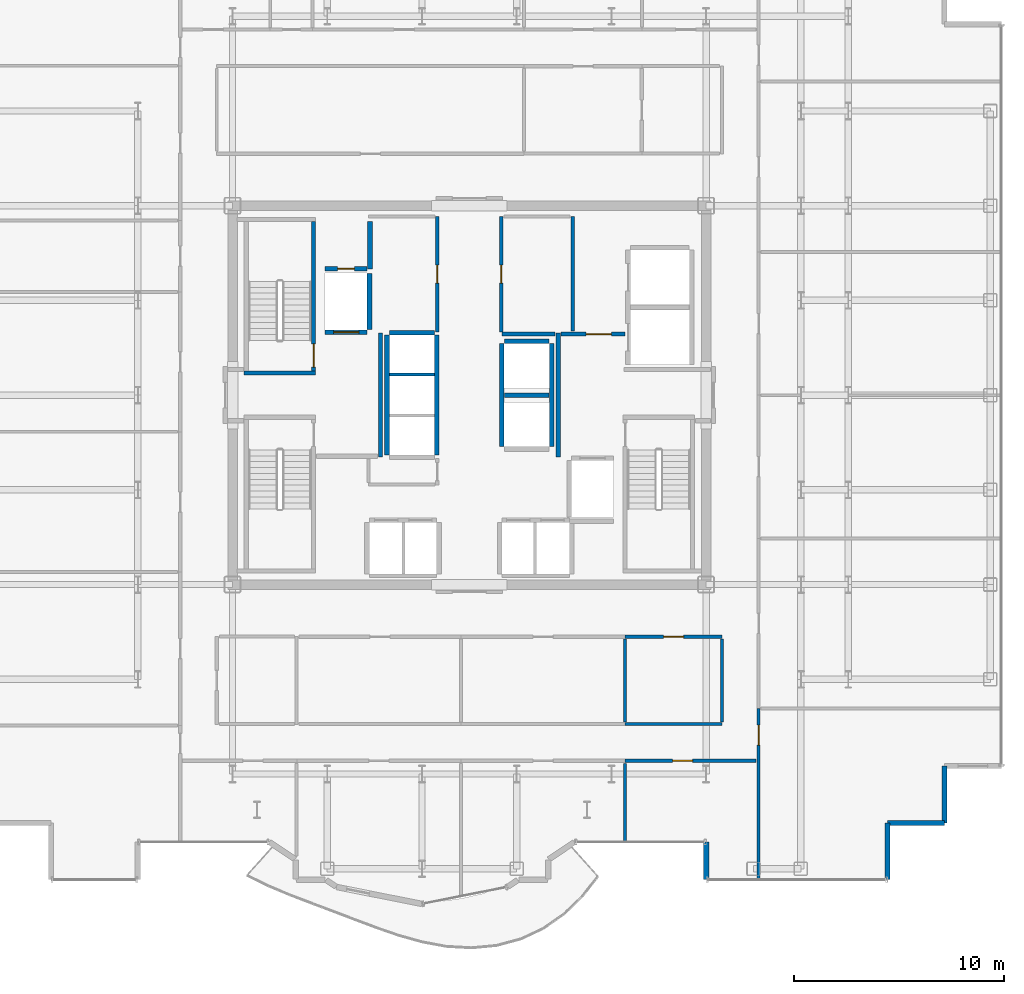
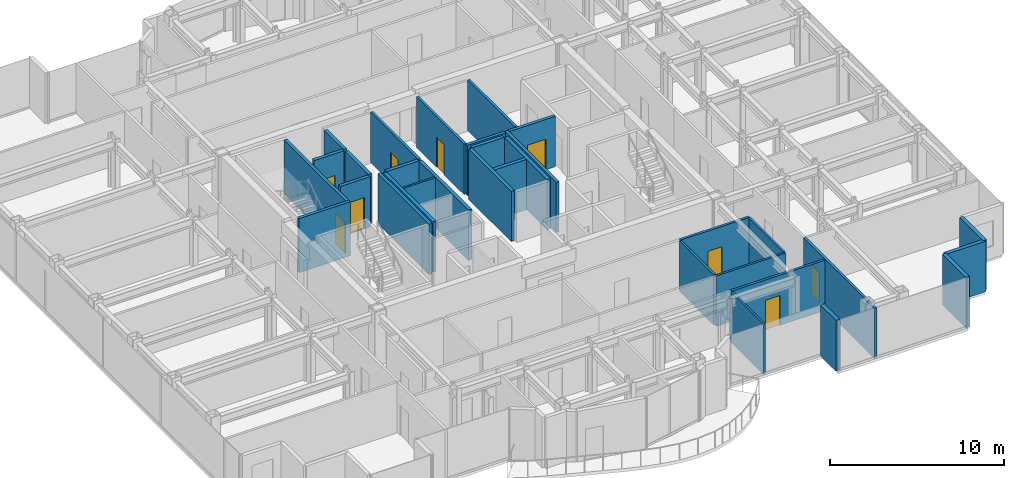
# One storey, part 16 of 21: 32 walls, 9 doors, 9 openings.
"""IFC4 building model written with IfcOpenShell, lengths in metres."""

from ifc_helpers import new_model, si_unit, direction, frame, frame_2d, origin, place, context, subcontext, project, spatial, rectangle, extrude, source, transform, mapped, material, layer, layer_set, type_object, element, fill, save


model = new_model("IFC4")

# Units and contexts
model_context = context("Model", 3, precision=1e-05, world=origin(), true_north=direction((0.0, 1.0)))
body_context = subcontext(model_context, "Body", "Model", "MODEL_VIEW")
ifc_project = project(units=[si_unit("LENGTHUNIT", "METRE"), si_unit("AREAUNIT", "SQUARE_METRE"), si_unit("VOLUMEUNIT", "CUBIC_METRE"), si_unit("PLANEANGLEUNIT", "RADIAN"), si_unit("MASSUNIT", "GRAM", prefix="KILO")], contexts=[model_context])

# Site, building, storey
site_placement = place(None, origin())
site = spatial("IfcSite", under=ifc_project, at=site_placement, CompositionType="ELEMENT")
building_placement = place(site_placement, origin())
building = spatial("IfcBuilding", under=site, at=building_placement, Name="Nefas-Gora Pilgrimage Tower", CompositionType="ELEMENT")
storey_placement = place(building_placement, frame((0.0, 0.0, 210.39990234375)))
storey = spatial("IfcBuildingStorey", under=building, at=storey_placement, Name="L52", CompositionType="ELEMENT", Elevation=210.39990234375)

# Walls
ifc_material_1 = material(Name="Precast concrete C40/50", Category="concrete")
ifc_layer_1 = layer(ifc_material_1, 0.260009765625)
ifc_layer_set_1 = layer_set([ifc_layer_1], Name="Precast concrete C40/50")
wall_type_1 = type_object("IfcWallType", Name="EW-PORTAL-260", PredefinedType="SOLIDWALL", material=ifc_layer_set_1)
shared_shape_1 = source(origin(), body_context, "Body", "SweptSolid", [
    extrude(rectangle(XDim=1.800048828125, YDim=0.260009765625, at=frame_2d((0.89990234375, 0.0))), origin(), (0.0, 0.0, 1.0), 3.550048828125),
])
wall_1_placement = place(storey_placement, frame((11.25, -21.219970703125, 0.0), z_axis=(0.0, 0.0, 1.0), x_axis=(0.0, -1.0, 0.0)))
element("IfcWall", 1, at=wall_1_placement, inside=storey, type_object=wall_type_1, Name="L52 Lobe Shoulder Precast Spandrel Pier 1", PredefinedType="SOLIDWALL", context=body_context, shape_type="MappedRepresentation", body=[
    mapped(shared_shape_1, transform((0.0, 0.0, 0.0), x_axis=(1.0, 0.0, 0.0), y_axis=(0.0, 1.0, 0.0), z_axis=(0.0, 0.0, 1.0), scale=1.0)),
])
ifc_material_2 = material(Name="Precast concrete C45/55", Category="concrete")
ifc_layer_2 = layer(ifc_material_2, 0.239990234375)
ifc_layer_set_2 = layer_set([ifc_layer_2], Name="Precast concrete C45/55")
wall_type_2 = type_object("IfcWallType", Name="EW-SERR-240", PredefinedType="SHEAR", material=ifc_layer_set_2)
shared_shape_2 = source(origin(), body_context, "Body", "SweptSolid", [
    extrude(rectangle(XDim=2.699951171875, YDim=0.239990234375, at=frame_2d((1.35009765625, 0.0))), origin(), (0.0, 0.0, 1.0), 3.550048828125),
])
for number, where, z_axis, x_axis, name in (
    (2, (19.8701171875, -23.02001953125, 0.0), (0.0, 0.0, 1.0), (0.0, 1.0, 0.0), "L52 Serrated Corner Shear Pier Wall 2"),
    (3, (19.8701171875, -20.320068359375, 0.0), (0.0, 0.0, 1.0), (1.0, 0.0, 0.0), "L52 Serrated Corner Shear Pier Wall 3"),
    (4, (22.570068359375, -20.320068359375, 0.0), (0.0, 0.0, 1.0), (0.0, 1.0, 0.0), "L52 Serrated Corner Shear Pier Wall 4"),
):
    element("IfcWall", number, at=place(storey_placement, frame(where, z_axis=z_axis, x_axis=x_axis)), inside=storey, type_object=wall_type_2, Name=name, PredefinedType="SHEAR", context=body_context, shape_type="MappedRepresentation", body=[
        mapped(shared_shape_2, transform((0.0, 0.0, 0.0), x_axis=(1.0, 0.0, 0.0), y_axis=(0.0, 1.0, 0.0), z_axis=(0.0, 0.0, 1.0), scale=1.0)),
    ])
ifc_material_3 = material(Name="Concrete C45/55", Category="concrete")
ifc_layer_3 = layer(ifc_material_3, 0.199951171875)
ifc_layer_set_3 = layer_set([ifc_layer_3], Name="Concrete C45/55")
wall_type_3 = type_object("IfcWallType", Name="IW-STAIR-200", PredefinedType="SOLIDWALL", material=ifc_layer_set_3)
shared_shape_3 = source(origin(), body_context, "Body", "SweptSolid", [
    extrude(rectangle(XDim=3.39990234375, YDim=0.199951171875, at=frame_2d((1.699951171875, 0.0))), origin(), (0.0, 0.0, 1.0), 3.800048828125),
])
wall_2_placement = place(storey_placement, frame((-7.300048828125, 1.050048828125, 0.0), z_axis=(0.0, 0.0, 1.0), x_axis=(-1.0, 0.0, 0.0)))
element("IfcWall", 5, at=wall_2_placement, inside=storey, type_object=wall_type_3, Name="L52 Stairwell Shear Wall ST-01-near", PredefinedType="SOLIDWALL", context=body_context, shape_type="MappedRepresentation", body=[
    mapped(shared_shape_3, transform((0.0, 0.0, 0.0), x_axis=(1.0, 0.0, 0.0), y_axis=(0.0, 1.0, 0.0), z_axis=(0.0, 0.0, 1.0), scale=1.0)),
])

# Wall, opening, door
shared_shape_4 = source(origin(), body_context, "Body", "SweptSolid", [
    extrude(rectangle(XDim=7.10009765625, YDim=0.199951171875, at=frame_2d((3.550048828125, 0.0))), origin(), (0.0, 0.0, 1.0), 3.800048828125),
])
wall_3_placement = place(storey_placement, frame((-7.39990234375, 1.14990234375, 0.0), z_axis=(0.0, 0.0, 1.0), x_axis=(0.0, 1.0, 0.0)))
wall_3 = element("IfcWall", 6, at=wall_3_placement, inside=storey, type_object=wall_type_3, Name="L52 Stairwell Shear Wall ST-01-left", PredefinedType="SOLIDWALL", context=body_context, shape_type="MappedRepresentation", body=[
    mapped(shared_shape_4, transform((0.0, 0.0, 0.0), x_axis=(1.0, 0.0, 0.0), y_axis=(0.0, 1.0, 0.0), z_axis=(0.0, 0.0, 1.0), scale=1.0)),
])
opening_1_placement = place(wall_3_placement, frame((0.179931640625, 0.0, 0.0)))
opening_1 = element("IfcOpeningElement", 7, at=opening_1_placement, cuts=wall_3, Name="Opening ID-ST1", PredefinedType="OPENING", context=body_context, shape_type="SweptSolid", body=[
    extrude(rectangle(XDim=1.10009765625, YDim=2.14990234375, at=frame_2d((0.550048828125, 1.074951171875))), frame((0.0, 0.10986328125, 0.0), z_axis=(0.0, -1.0, 0.0), x_axis=(1.0, 0.0, 0.0)), (0.0, 0.0, 1.0), 0.219970703125),
])
ifc_material_4 = material(Name="Painted galvanised steel fire stair door", Category="steel")
door_type_1 = type_object("IfcDoorType", Name="DR-INT-STAIR-1100", OperationType="NOTDEFINED", PredefinedType="DOOR", material=ifc_material_4)
shared_shape_5 = source(origin(), body_context, "Body", "SweptSolid", [
    extrude(rectangle(XDim=1.10009765625, YDim=2.14990234375, at=frame_2d((0.550048828125, 1.074951171875))), frame((0.0, 0.02490234375, 0.0), z_axis=(0.0, -1.0, 0.0), x_axis=(1.0, 0.0, 0.0)), (0.0, 0.0, 1.0), 0.050048828125),
])
door_1_placement = place(opening_1_placement, origin())
door_1 = element("IfcDoor", 8, at=door_1_placement, inside=storey, type_object=door_type_1, Name="L52 Protected Exit Stair Door ST-01", OperationType="SINGLE_SWING_RIGHT", OverallHeight=2.14990234375, OverallWidth=1.10009765625, PredefinedType="DOOR", context=body_context, shape_type="MappedRepresentation", body=[
    mapped(shared_shape_5, transform((0.0, 0.0, 0.0), x_axis=(1.0, 0.0, 0.0), y_axis=(0.0, 1.0, 0.0), z_axis=(0.0, 0.0, 1.0), scale=1.0)),
])
fill(opening_1, door_1)

ifc_material_5 = material(Name="Concrete C40/50", Category="concrete")
ifc_layer_4 = layer(ifc_material_5, 0.219970703125)
ifc_layer_set_4 = layer_set([ifc_layer_4], Name="Concrete C40/50")
wall_type_4 = type_object("IfcWallType", Name="IW-SHAFT-220", PredefinedType="SOLIDWALL", material=ifc_layer_set_4)
shared_shape_6 = source(origin(), body_context, "Body", "SweptSolid", [
    extrude(rectangle(XDim=2.0, YDim=0.219970703125, at=frame_2d((1.0, 0.0))), origin(), (0.0, 0.0, 1.0), 3.53515625),
])
wall_4_placement = place(storey_placement, frame((-6.85009765625, 2.989990234375, 0.0), z_axis=(0.0, 0.0, 1.0), x_axis=(1.0, 0.0, 0.0)))
wall_4 = element("IfcWall", 9, at=wall_4_placement, inside=storey, type_object=wall_type_4, Name="L52 Hoistway Wall FFL-01-S", PredefinedType="SOLIDWALL", context=body_context, shape_type="MappedRepresentation", body=[
    mapped(shared_shape_6, transform((0.0, 0.0, 0.0), x_axis=(1.0, 0.0, 0.0), y_axis=(0.0, 1.0, 0.0), z_axis=(0.0, 0.0, 1.0), scale=1.0)),
])
opening_2_placement = place(wall_4_placement, frame((0.39990234375, 0.0, 0.0)))
opening_2 = element("IfcOpeningElement", 10, at=opening_2_placement, cuts=wall_4, Name="Opening LD-FF", PredefinedType="OPENING", context=body_context, shape_type="SweptSolid", body=[
    extrude(rectangle(XDim=1.199951171875, YDim=2.199951171875, at=frame_2d((0.60009765625, 1.10009765625))), frame((0.0, 0.119873046875, 0.0), z_axis=(0.0, -1.0, 0.0), x_axis=(1.0, 0.0, 0.0)), (0.0, 0.0, 1.0), 0.239990234375),
])
ifc_material_6 = material(Name="Fire-service sliding lift landing door")
door_type_2 = type_object("IfcDoorType", Name="DR-LIFT-FSAE-1200", OperationType="SLIDING_TO_LEFT", PredefinedType="DOOR", material=ifc_material_6)
shared_shape_7 = source(origin(), body_context, "Body", "SweptSolid", [
    extrude(rectangle(XDim=1.199951171875, YDim=2.199951171875, at=frame_2d((0.60009765625, 1.10009765625))), frame((0.0, 0.02490234375, 0.0), z_axis=(0.0, -1.0, 0.0), x_axis=(1.0, 0.0, 0.0)), (0.0, 0.0, 1.0), 0.050048828125),
])
door_2_placement = place(opening_2_placement, origin())
door_2 = element("IfcDoor", 11, at=door_2_placement, inside=storey, type_object=door_type_2, Name="L52 Sliding Lift Landing Door FFL-01", OperationType="SLIDING_TO_LEFT", OverallHeight=2.199951171875, OverallWidth=1.199951171875, PredefinedType="DOOR", context=body_context, shape_type="MappedRepresentation", body=[
    mapped(shared_shape_7, transform((0.0, 0.0, 0.0), x_axis=(1.0, 0.0, 0.0), y_axis=(0.0, 1.0, 0.0), z_axis=(0.0, 0.0, 1.0), scale=1.0)),
])
fill(opening_2, door_2)

# Walls
shared_shape_8 = source(origin(), body_context, "Body", "SweptSolid", [
    extrude(rectangle(XDim=2.679931640625, YDim=0.219970703125, at=frame_2d((1.33984375, 0.0))), origin(), (0.0, 0.0, 1.0), 3.53515625),
])
wall_5_placement = place(storey_placement, frame((-4.739990234375, 3.110107421875, 0.0), z_axis=(0.0, 0.0, 1.0), x_axis=(0.0, 1.0, 0.0)))
element("IfcWall", 12, at=wall_5_placement, inside=storey, type_object=wall_type_4, Name="L52 Hoistway Wall FFL-01-E", PredefinedType="SOLIDWALL", context=body_context, shape_type="MappedRepresentation", body=[
    mapped(shared_shape_8, transform((0.0, 0.0, 0.0), x_axis=(1.0, 0.0, 0.0), y_axis=(0.0, 1.0, 0.0), z_axis=(0.0, 0.0, 1.0), scale=1.0)),
])
shared_shape_9 = source(origin(), body_context, "Body", "SweptSolid", [
    extrude(rectangle(XDim=5.7001953125, YDim=0.219970703125, at=frame_2d((2.85009765625, 0.0))), origin(), (0.0, 0.0, 1.0), 3.53515625),
])
for number, where, z_axis, x_axis, name in (
    (13, (-1.5400390625, -2.85009765625, 0.0), (0.0, 0.0, 1.0), (0.0, 1.0, 0.0), "L52 Hoistway Wall PL3-01-03-E"),
    (14, (-3.909912109375, 2.85009765625, 0.0), (0.0, 0.0, 1.0), (0.0, -1.0, 0.0), "L52 Hoistway Wall PL3-01-03-W"),
):
    element("IfcWall", number, at=place(storey_placement, frame(where, z_axis=z_axis, x_axis=x_axis)), inside=storey, type_object=wall_type_4, Name=name, PredefinedType="SOLIDWALL", context=body_context, shape_type="MappedRepresentation", body=[
        mapped(shared_shape_9, transform((0.0, 0.0, 0.0), x_axis=(1.0, 0.0, 0.0), y_axis=(0.0, 1.0, 0.0), z_axis=(0.0, 0.0, 1.0), scale=1.0)),
    ])
shared_shape_10 = source(origin(), body_context, "Body", "SweptSolid", [
    extrude(rectangle(XDim=2.130126953125, YDim=0.219970703125, at=frame_2d((1.06494140625, 0.0))), origin(), (0.0, 0.0, 1.0), 3.53515625),
])
for number, where, z_axis, x_axis, name in (
    (15, (-1.659912109375, 2.9599609375, 0.0), (0.0, 0.0, 1.0), (-1.0, 0.0, 0.0), "L52 Hoistway Wall PL3-03-N"),
    (16, (1.659912109375, 0.0, 0.0), (0.0, 0.0, 1.0), (1.0, 0.0, 0.0), "L52 Hoistway Wall OBS-01-02-DIV"),
    (17, (3.7900390625, 2.56005859375, 0.0), (0.0, 0.0, 1.0), (-1.0, 0.0, 0.0), "L52 Hoistway Wall OBS-02-N"),
):
    element("IfcWall", number, at=place(storey_placement, frame(where, z_axis=z_axis, x_axis=x_axis)), inside=storey, type_object=wall_type_4, Name=name, PredefinedType="SOLIDWALL", context=body_context, shape_type="MappedRepresentation", body=[
        mapped(shared_shape_10, transform((0.0, 0.0, 0.0), x_axis=(1.0, 0.0, 0.0), y_axis=(0.0, 1.0, 0.0), z_axis=(0.0, 0.0, 1.0), scale=1.0)),
    ])
ifc_material_7 = material(Name="Gypsum twin-stud partition")
ifc_layer_5 = layer(ifc_material_7, 0.139892578125)
ifc_layer_set_5 = layer_set([ifc_layer_5], Name="Gypsum twin-stud partition")
wall_type_5 = type_object("IfcWallType", Name="IW-UNIT-140", PredefinedType="PARTITIONING", material=ifc_layer_set_5)
shared_shape_11 = source(origin(), body_context, "Body", "SweptSolid", [
    extrude(rectangle(XDim=2.130126953125, YDim=0.139892578125, at=frame_2d((1.06494140625, 0.0))), origin(), (0.0, 0.0, 1.0), 3.53515625),
])
wall_6_placement = place(storey_placement, frame((-3.7900390625, 0.97509765625, 0.0), z_axis=(0.0, 0.0, 1.0), x_axis=(1.0, 0.0, 0.0)))
element("IfcWall", 18, at=wall_6_placement, inside=storey, type_object=wall_type_5, Name="L52 Hoistway Wall PL3-02-03-DIV", PredefinedType="PARTITIONING", context=body_context, shape_type="MappedRepresentation", body=[
    mapped(shared_shape_11, transform((0.0, 0.0, 0.0), x_axis=(1.0, 0.0, 0.0), y_axis=(0.0, 1.0, 0.0), z_axis=(0.0, 0.0, 1.0), scale=1.0)),
])
shared_shape_12 = source(origin(), body_context, "Body", "SweptSolid", [
    extrude(rectangle(XDim=4.89990234375, YDim=0.219970703125, at=frame_2d((2.449951171875, 0.0))), origin(), (0.0, 0.0, 1.0), 3.53515625),
])
for number, where, z_axis, x_axis, name in (
    (19, (1.5400390625, 2.449951171875, 0.0), (0.0, 0.0, 1.0), (0.0, -1.0, 0.0), "L52 Hoistway Wall OBS-01-02-W"),
    (20, (3.909912109375, -2.449951171875, 0.0), (0.0, 0.0, 1.0), (0.0, 1.0, 0.0), "L52 Hoistway Wall OBS-01-02-E"),
):
    element("IfcWall", number, at=place(storey_placement, frame(where, z_axis=z_axis, x_axis=x_axis)), inside=storey, type_object=wall_type_4, Name=name, PredefinedType="SOLIDWALL", context=body_context, shape_type="MappedRepresentation", body=[
        mapped(shared_shape_12, transform((0.0, 0.0, 0.0), x_axis=(1.0, 0.0, 0.0), y_axis=(0.0, 1.0, 0.0), z_axis=(0.0, 0.0, 1.0), scale=1.0)),
    ])
ifc_material_8 = material(Name="Gypsum fire-rated shaftwall")
ifc_layer_6 = layer(ifc_material_8, 0.199951171875)
ifc_layer_set_6 = layer_set([ifc_layer_6], Name="Gypsum fire-rated shaftwall")
wall_type_6 = type_object("IfcWallType", Name="IW-FFLOB-200", PredefinedType="PARTITIONING", material=ifc_layer_set_6)
shared_shape_13 = source(origin(), body_context, "Body", "SweptSolid", [
    extrude(rectangle(XDim=5.89990234375, YDim=0.199951171875, at=frame_2d((2.949951171875, 0.0))), origin(), (0.0, 0.0, 1.0), 3.53515625),
])
for number, where, z_axis, x_axis, name in (
    (21, (-4.219970703125, -2.949951171875, 0.0), (0.0, 0.0, 1.0), (0.0, 1.0, 0.0), "L52 FF Lobby West Inner Wall Wall 5"),
    (22, (4.219970703125, -2.949951171875, 0.0), (0.0, 0.0, 1.0), (0.0, 1.0, 0.0), "L52 FF Lobby East Inner Wall Wall 10"),
):
    element("IfcWall", number, at=place(storey_placement, frame(where, z_axis=z_axis, x_axis=x_axis)), inside=storey, type_object=wall_type_6, Name=name, PredefinedType="PARTITIONING", context=body_context, shape_type="MappedRepresentation", body=[
        mapped(shared_shape_13, transform((0.0, 0.0, 0.0), x_axis=(1.0, 0.0, 0.0), y_axis=(0.0, 1.0, 0.0), z_axis=(0.0, 0.0, 1.0), scale=1.0)),
    ])

# Wall, opening, door
shared_shape_14 = source(origin(), body_context, "Body", "SweptSolid", [
    extrude(rectangle(XDim=3.039794921875, YDim=0.199951171875, at=frame_2d((1.52001953125, 0.0))), origin(), (0.0, 0.0, 1.0), 3.53515625),
])
wall_7_placement = place(storey_placement, frame((4.360107421875, 2.89990234375, 0.0), z_axis=(0.0, 0.0, 1.0), x_axis=(1.0, 0.0, 0.0)))
wall_7 = element("IfcWall", 23, at=wall_7_placement, inside=storey, type_object=wall_type_6, Name="L52 FF Lobby East North Wall Wall 12", PredefinedType="PARTITIONING", context=body_context, shape_type="MappedRepresentation", body=[
    mapped(shared_shape_14, transform((0.0, 0.0, 0.0), x_axis=(1.0, 0.0, 0.0), y_axis=(0.0, 1.0, 0.0), z_axis=(0.0, 0.0, 1.0), scale=1.0)),
])
opening_3_placement = place(wall_7_placement, frame((1.18994140625, 0.0, 0.0)))
opening_3 = element("IfcOpeningElement", 24, at=opening_3_placement, cuts=wall_7, Name="Opening ID-PL1", PredefinedType="OPENING", context=body_context, shape_type="SweptSolid", body=[
    extrude(rectangle(XDim=1.199951171875, YDim=2.14990234375, at=frame_2d((0.60009765625, 1.074951171875))), frame((0.0, 0.10986328125, 0.0), z_axis=(0.0, -1.0, 0.0), x_axis=(1.0, 0.0, 0.0)), (0.0, 0.0, 1.0), 0.219970703125),
])
ifc_material_9 = material(Name="Heavy-duty steel plant room fire door", Category="steel")
door_type_3 = type_object("IfcDoorType", Name="DR-INT-PLANT-1200", OperationType="NOTDEFINED", PredefinedType="DOOR", material=ifc_material_9)
shared_shape_15 = source(origin(), body_context, "Body", "SweptSolid", [
    extrude(rectangle(XDim=1.199951171875, YDim=2.14990234375, at=frame_2d((0.60009765625, 1.074951171875))), frame((0.0, 0.02490234375, 0.0), z_axis=(0.0, -1.0, 0.0), x_axis=(1.0, 0.0, 0.0)), (0.0, 0.0, 1.0), 0.050048828125),
])
door_3_placement = place(opening_3_placement, origin())
door_3 = element("IfcDoor", 25, at=door_3_placement, inside=storey, type_object=door_type_3, Name="L52 Service Lift Lobby Door Door 4", OperationType="SINGLE_SWING_RIGHT", OverallHeight=2.14990234375, OverallWidth=1.199951171875, PredefinedType="DOOR", context=body_context, shape_type="MappedRepresentation", body=[
    mapped(shared_shape_15, transform((0.0, 0.0, 0.0), x_axis=(1.0, 0.0, 0.0), y_axis=(0.0, 1.0, 0.0), z_axis=(0.0, 0.0, 1.0), scale=1.0)),
])
fill(opening_3, door_3)

ifc_material_10 = material(Name="Gypsum acoustic stud partition")
ifc_layer_7 = layer(ifc_material_10, 0.159912109375)
ifc_layer_set_7 = layer_set([ifc_layer_7], Name="Gypsum acoustic stud partition")
wall_type_7 = type_object("IfcWallType", Name="IW-CORR-160", PredefinedType="PARTITIONING", material=ifc_layer_set_7)
shared_shape_16 = source(origin(), body_context, "Body", "SweptSolid", [
    extrude(rectangle(XDim=6.22509765625, YDim=0.159912109375, at=frame_2d((3.112548828125, 0.0))), origin(), (0.0, 0.0, 1.0), 3.53515625),
])
wall_8_placement = place(storey_placement, frame((7.39501953125, -17.3701171875, 0.0), z_axis=(0.0, 0.0, 1.0), x_axis=(1.0, 0.0, 0.0)))
wall_8 = element("IfcWall", 26, at=wall_8_placement, inside=storey, type_object=wall_type_7, Name="L52 Pilgrim Contemplative Lounge Partition Wall 84", PredefinedType="PARTITIONING", context=body_context, shape_type="MappedRepresentation", body=[
    mapped(shared_shape_16, transform((0.0, 0.0, 0.0), x_axis=(1.0, 0.0, 0.0), y_axis=(0.0, 1.0, 0.0), z_axis=(0.0, 0.0, 1.0), scale=1.0)),
])
opening_4_placement = place(wall_8_placement, frame((2.26025390625, 0.0, 0.0)))
opening_4 = element("IfcOpeningElement", 27, at=opening_4_placement, cuts=wall_8, Name="Opening ID-GR1", PredefinedType="OPENING", context=body_context, shape_type="SweptSolid", body=[
    extrude(rectangle(XDim=0.949951171875, YDim=2.10009765625, at=frame_2d((0.47509765625, 1.050048828125))), frame((0.0, 0.08984375, 0.0), z_axis=(0.0, -1.0, 0.0), x_axis=(1.0, 0.0, 0.0)), (0.0, 0.0, 1.0), 0.179931640625),
])
ifc_material_11 = material(Name="Solid core oak fire-rated guest entrance door")
door_type_4 = type_object("IfcDoorType", Name="DR-INT-GUEST-950", OperationType="NOTDEFINED", PredefinedType="DOOR", material=ifc_material_11)
shared_shape_17 = source(origin(), body_context, "Body", "SweptSolid", [
    extrude(rectangle(XDim=0.949951171875, YDim=2.10009765625, at=frame_2d((0.47509765625, 1.050048828125))), frame((0.0, 0.02490234375, 0.0), z_axis=(0.0, -1.0, 0.0), x_axis=(1.0, 0.0, 0.0)), (0.0, 0.0, 1.0), 0.050048828125),
])
door_4_placement = place(opening_4_placement, origin())
door_4 = element("IfcDoor", 28, at=door_4_placement, inside=storey, type_object=door_type_4, Name="L52 Pilgrim Contemplative Lounge Door 37", OperationType="SINGLE_SWING_LEFT", OverallHeight=2.10009765625, OverallWidth=0.949951171875, PredefinedType="DOOR", context=body_context, shape_type="MappedRepresentation", body=[
    mapped(shared_shape_17, transform((0.0, 0.0, 0.0), x_axis=(1.0, 0.0, 0.0), y_axis=(0.0, 1.0, 0.0), z_axis=(0.0, 0.0, 1.0), scale=1.0)),
])
fill(opening_4, door_4)

# Wall
shared_shape_18 = source(origin(), body_context, "Body", "SweptSolid", [
    extrude(rectangle(XDim=2.25, YDim=0.219970703125, at=frame_2d((1.125, 0.0))), origin(), (0.0, 0.0, 1.0), 3.53515625),
])
wall_9_placement = place(storey_placement, frame((-4.719970703125, 6.0, 0.0), z_axis=(0.0, 0.0, 1.0), x_axis=(0.0, 1.0, 0.0)))
element("IfcWall", 29, at=wall_9_placement, inside=storey, type_object=wall_type_4, Name="L52 Riser Shaft Wall 1", PredefinedType="SOLIDWALL", context=body_context, shape_type="MappedRepresentation", body=[
    mapped(shared_shape_18, transform((0.0, 0.0, 0.0), x_axis=(1.0, 0.0, 0.0), y_axis=(0.0, 1.0, 0.0), z_axis=(0.0, 0.0, 1.0), scale=1.0)),
])

# Wall, opening, door
shared_shape_19 = source(origin(), body_context, "Body", "SweptSolid", [
    extrude(rectangle(XDim=1.97998046875, YDim=0.219970703125, at=frame_2d((0.989990234375, 0.0))), origin(), (0.0, 0.0, 1.0), 3.53515625),
])
wall_10_placement = place(storey_placement, frame((-6.85009765625, 6.0, 0.0), z_axis=(0.0, 0.0, 1.0), x_axis=(1.0, 0.0, 0.0)))
wall_10 = element("IfcWall", 30, at=wall_10_placement, inside=storey, type_object=wall_type_4, Name="L52 Riser Shaft Wall 2", PredefinedType="SOLIDWALL", context=body_context, shape_type="MappedRepresentation", body=[
    mapped(shared_shape_19, transform((0.0, 0.0, 0.0), x_axis=(1.0, 0.0, 0.0), y_axis=(0.0, 1.0, 0.0), z_axis=(0.0, 0.0, 1.0), scale=1.0)),
])
opening_5_placement = place(wall_10_placement, frame((0.590087890625, 0.0, 0.0)))
opening_5 = element("IfcOpeningElement", 31, at=opening_5_placement, cuts=wall_10, Name="Opening ID-TR1", PredefinedType="OPENING", context=body_context, shape_type="SweptSolid", body=[
    extrude(rectangle(XDim=0.800048828125, YDim=2.0, at=frame_2d((0.39990234375, 1.0))), frame((0.0, 0.119873046875, 0.0), z_axis=(0.0, -1.0, 0.0), x_axis=(1.0, 0.0, 0.0)), (0.0, 0.0, 1.0), 0.239990234375),
])
ifc_material_12 = material(Name="Riser maintenance fire access door")
door_type_5 = type_object("IfcDoorType", Name="DR-INT-TRAP-800", OperationType="NOTDEFINED", PredefinedType="TRAPDOOR", material=ifc_material_12)
shared_shape_20 = source(origin(), body_context, "Body", "SweptSolid", [
    extrude(rectangle(XDim=0.800048828125, YDim=2.0, at=frame_2d((0.39990234375, 1.0))), frame((0.0, 0.02490234375, 0.0), z_axis=(0.0, -1.0, 0.0), x_axis=(1.0, 0.0, 0.0)), (0.0, 0.0, 1.0), 0.050048828125),
])
door_5_placement = place(opening_5_placement, origin())
door_5 = element("IfcDoor", 32, at=door_5_placement, inside=storey, type_object=door_type_5, Name="L52 Riser Shaft Door 1", OperationType="SINGLE_SWING_LEFT", OverallHeight=2.0, OverallWidth=0.800048828125, PredefinedType="TRAPDOOR", context=body_context, shape_type="MappedRepresentation", body=[
    mapped(shared_shape_20, transform((0.0, 0.0, 0.0), x_axis=(1.0, 0.0, 0.0), y_axis=(0.0, 1.0, 0.0), z_axis=(0.0, 0.0, 1.0), scale=1.0)),
])
fill(opening_5, door_5)

# Walls
shared_shape_21 = source(origin(), body_context, "Body", "SweptSolid", [
    extrude(rectangle(XDim=2.52001953125, YDim=0.199951171875, at=frame_2d((1.260009765625, 0.0))), origin(), (0.0, 0.0, 1.0), 3.53515625),
])
wall_11_placement = place(storey_placement, frame((1.56005859375, 2.89990234375, 0.0), z_axis=(0.0, 0.0, 1.0), x_axis=(1.0, 0.0, 0.0)))
element("IfcWall", 33, at=wall_11_placement, inside=storey, type_object=wall_type_6, Name="L52 FF Lobby East North Wall Wall 11", PredefinedType="PARTITIONING", context=body_context, shape_type="MappedRepresentation", body=[
    mapped(shared_shape_21, transform((0.0, 0.0, 0.0), x_axis=(1.0, 0.0, 0.0), y_axis=(0.0, 1.0, 0.0), z_axis=(0.0, 0.0, 1.0), scale=1.0)),
])
shared_shape_22 = source(origin(), body_context, "Body", "SweptSolid", [
    extrude(rectangle(XDim=5.449951171875, YDim=0.159912109375, at=frame_2d((2.72509765625, 0.0))), origin(), (0.0, 0.0, 1.0), 3.53515625),
])
wall_12_placement = place(storey_placement, frame((4.919921875, 3.0400390625, 0.0), z_axis=(0.0, 0.0, 1.0), x_axis=(0.0, 1.0, 0.0)))
element("IfcWall", 34, at=wall_12_placement, inside=storey, type_object=wall_type_7, Name="L52 Service Lift Lobby West Wall Wall 17", PredefinedType="PARTITIONING", context=body_context, shape_type="MappedRepresentation", body=[
    mapped(shared_shape_22, transform((0.0, 0.0, 0.0), x_axis=(1.0, 0.0, 0.0), y_axis=(0.0, 1.0, 0.0), z_axis=(0.0, 0.0, 1.0), scale=1.0)),
])
shared_shape_23 = source(origin(), body_context, "Body", "SweptSolid", [
    extrude(rectangle(XDim=3.929931640625, YDim=0.139892578125, at=frame_2d((1.96484375, 0.0))), origin(), (0.0, 0.0, 1.0), 3.53515625),
])
for number, where, z_axis, x_axis, name in (
    (35, (7.39501953125, -15.52001953125, 0.0), (0.0, 0.0, 1.0), (0.0, 1.0, 0.0), "L52 Pilgrim Contemplative Lounge Partition Wall 83"),
    (36, (12.0, -15.52001953125, 0.0), (0.0, 0.0, 1.0), (0.0, 1.0, 0.0), "L52 Pilgrim Contemplative Lounge Partition Wall 87"),
):
    element("IfcWall", number, at=place(storey_placement, frame(where, z_axis=z_axis, x_axis=x_axis)), inside=storey, type_object=wall_type_5, Name=name, PredefinedType="PARTITIONING", context=body_context, shape_type="MappedRepresentation", body=[
        mapped(shared_shape_23, transform((0.0, 0.0, 0.0), x_axis=(1.0, 0.0, 0.0), y_axis=(0.0, 1.0, 0.0), z_axis=(0.0, 0.0, 1.0), scale=1.0)),
    ])
shared_shape_24 = source(origin(), body_context, "Body", "SweptSolid", [
    extrude(rectangle(XDim=3.75, YDim=0.139892578125, at=frame_2d((1.875, 0.0))), origin(), (0.0, 0.0, 1.0), 3.53515625),
])
wall_13_placement = place(storey_placement, frame((7.39501953125, -21.239990234375, 0.0), z_axis=(0.0, 0.0, 1.0), x_axis=(0.0, 1.0, 0.0)))
element("IfcWall", 37, at=wall_13_placement, inside=storey, type_object=wall_type_5, Name="L52 Pilgrim Contemplative Lounge Partition Wall 80", PredefinedType="PARTITIONING", context=body_context, shape_type="MappedRepresentation", body=[
    mapped(shared_shape_24, transform((0.0, 0.0, 0.0), x_axis=(1.0, 0.0, 0.0), y_axis=(0.0, 1.0, 0.0), z_axis=(0.0, 0.0, 1.0), scale=1.0)),
])

# Wall, opening, door
shared_shape_25 = source(origin(), body_context, "Body", "SweptSolid", [
    extrude(rectangle(XDim=5.47998046875, YDim=0.159912109375, at=frame_2d((2.739990234375, 0.0))), origin(), (0.0, 0.0, 1.0), 3.53515625),
])
wall_14_placement = place(storey_placement, frame((-1.52001953125, 3.010009765625, 0.0), z_axis=(0.0, 0.0, 1.0), x_axis=(0.0, 1.0, 0.0)))
wall_14 = element("IfcWall", 38, at=wall_14_placement, inside=storey, type_object=wall_type_7, Name="L52 Housekeeping and Linen Store Wall 18", PredefinedType="PARTITIONING", context=body_context, shape_type="MappedRepresentation", body=[
    mapped(shared_shape_25, transform((0.0, 0.0, 0.0), x_axis=(1.0, 0.0, 0.0), y_axis=(0.0, 1.0, 0.0), z_axis=(0.0, 0.0, 1.0), scale=1.0)),
])
opening_6_placement = place(wall_14_placement, frame((2.31494140625, 0.0, 0.0)))
opening_6 = element("IfcOpeningElement", 39, at=opening_6_placement, cuts=wall_14, Name="Opening ID-BT1", PredefinedType="OPENING", context=body_context, shape_type="SweptSolid", body=[
    extrude(rectangle(XDim=0.85009765625, YDim=2.10009765625, at=frame_2d((0.425048828125, 1.050048828125))), frame((0.0, 0.08984375, 0.0), z_axis=(0.0, -1.0, 0.0), x_axis=(1.0, 0.0, 0.0)), (0.0, 0.0, 1.0), 0.179931640625),
])
ifc_material_13 = material(Name="Moisture-resistant fire-rated timber door", Category="wood")
door_type_6 = type_object("IfcDoorType", Name="DR-INT-BATH-850", OperationType="NOTDEFINED", PredefinedType="DOOR", material=ifc_material_13)
shared_shape_26 = source(origin(), body_context, "Body", "SweptSolid", [
    extrude(rectangle(XDim=0.85009765625, YDim=2.10009765625, at=frame_2d((0.425048828125, 1.050048828125))), frame((0.0, 0.02490234375, 0.0), z_axis=(0.0, -1.0, 0.0), x_axis=(1.0, 0.0, 0.0)), (0.0, 0.0, 1.0), 0.050048828125),
])
door_6_placement = place(opening_6_placement, origin())
door_6 = element("IfcDoor", 40, at=door_6_placement, inside=storey, type_object=door_type_6, Name="L52 Housekeeping and Linen Store Door 7", OperationType="SINGLE_SWING_LEFT", OverallHeight=2.10009765625, OverallWidth=0.85009765625, PredefinedType="DOOR", context=body_context, shape_type="MappedRepresentation", body=[
    mapped(shared_shape_26, transform((0.0, 0.0, 0.0), x_axis=(1.0, 0.0, 0.0), y_axis=(0.0, 1.0, 0.0), z_axis=(0.0, 0.0, 1.0), scale=1.0)),
])
fill(opening_6, door_6)

wall_15_placement = place(storey_placement, frame((1.52001953125, 3.010009765625, 0.0), z_axis=(0.0, 0.0, 1.0), x_axis=(0.0, 1.0, 0.0)))
wall_15 = element("IfcWall", 41, at=wall_15_placement, inside=storey, type_object=wall_type_7, Name="L52 Freed Bank-1 Amenity Supply Store Wall 23", PredefinedType="PARTITIONING", context=body_context, shape_type="MappedRepresentation", body=[
    mapped(shared_shape_25, transform((0.0, 0.0, 0.0), x_axis=(1.0, 0.0, 0.0), y_axis=(0.0, 1.0, 0.0), z_axis=(0.0, 0.0, 1.0), scale=1.0)),
])
opening_7_placement = place(wall_15_placement, frame((2.31494140625, 0.0, 0.0)))
opening_7 = element("IfcOpeningElement", 42, at=opening_7_placement, cuts=wall_15, Name="Opening ID-BT1", PredefinedType="OPENING", context=body_context, shape_type="SweptSolid", body=[
    extrude(rectangle(XDim=0.85009765625, YDim=2.10009765625, at=frame_2d((0.425048828125, 1.050048828125))), frame((0.0, 0.08984375, 0.0), z_axis=(0.0, -1.0, 0.0), x_axis=(1.0, 0.0, 0.0)), (0.0, 0.0, 1.0), 0.179931640625),
])
door_7_placement = place(opening_7_placement, origin())
door_7 = element("IfcDoor", 43, at=door_7_placement, inside=storey, type_object=door_type_6, Name="L52 Freed Bank-1 Amenity Supply Store Door 9", OperationType="SINGLE_SWING_LEFT", OverallHeight=2.10009765625, OverallWidth=0.85009765625, PredefinedType="DOOR", context=body_context, shape_type="MappedRepresentation", body=[
    mapped(shared_shape_26, transform((0.0, 0.0, 0.0), x_axis=(1.0, 0.0, 0.0), y_axis=(0.0, 1.0, 0.0), z_axis=(0.0, 0.0, 1.0), scale=1.0)),
])
fill(opening_7, door_7)

shared_shape_27 = source(origin(), body_context, "Body", "SweptSolid", [
    extrude(rectangle(XDim=8.152587890625, YDim=0.159912109375, at=frame_2d((4.076171875, 0.0))), origin(), (0.0, 0.0, 1.0), 3.53515625),
])
wall_16_placement = place(storey_placement, frame((13.739990234375, -23.0400390625, 0.0), z_axis=(0.0, 0.0, 1.0), x_axis=(0.0, 1.0, 0.0)))
wall_16 = element("IfcWall", 44, at=wall_16_placement, inside=storey, type_object=wall_type_7, Name="L52 Pilgrim Fellowship Seminar Room Partition Wall 41", PredefinedType="PARTITIONING", context=body_context, shape_type="MappedRepresentation", body=[
    mapped(shared_shape_27, transform((0.0, 0.0, 0.0), x_axis=(1.0, 0.0, 0.0), y_axis=(0.0, 1.0, 0.0), z_axis=(0.0, 0.0, 1.0), scale=1.0)),
])
opening_8_placement = place(wall_16_placement, frame((6.416259765625, 0.0, 0.0)))
opening_8 = element("IfcOpeningElement", 45, at=opening_8_placement, cuts=wall_16, Name="Opening ID-GR1", PredefinedType="OPENING", context=body_context, shape_type="SweptSolid", body=[
    extrude(rectangle(XDim=0.949951171875, YDim=2.10009765625, at=frame_2d((0.47509765625, 1.050048828125))), frame((0.0, 0.08984375, 0.0), z_axis=(0.0, -1.0, 0.0), x_axis=(1.0, 0.0, 0.0)), (0.0, 0.0, 1.0), 0.179931640625),
])
door_8_placement = place(opening_8_placement, origin())
door_8 = element("IfcDoor", 46, at=door_8_placement, inside=storey, type_object=door_type_4, Name="L52 Pilgrim Fellowship Seminar Room Door 18", OperationType="SINGLE_SWING_RIGHT", OverallHeight=2.10009765625, OverallWidth=0.949951171875, PredefinedType="DOOR", context=body_context, shape_type="MappedRepresentation", body=[
    mapped(shared_shape_17, transform((0.0, 0.0, 0.0), x_axis=(1.0, 0.0, 0.0), y_axis=(0.0, 1.0, 0.0), z_axis=(0.0, 0.0, 1.0), scale=1.0)),
])
fill(opening_8, door_8)

shared_shape_28 = source(origin(), body_context, "Body", "SweptSolid", [
    extrude(rectangle(XDim=4.614990234375, YDim=0.159912109375, at=frame_2d((2.3076171875, 0.0))), origin(), (0.0, 0.0, 1.0), 3.53515625),
])
wall_17_placement = place(storey_placement, frame((7.39501953125, -11.469970703125, 0.0), z_axis=(0.0, 0.0, 1.0), x_axis=(1.0, 0.0, 0.0)))
wall_17 = element("IfcWall", 47, at=wall_17_placement, inside=storey, type_object=wall_type_7, Name="L52 Pilgrim Contemplative Lounge Partition Wall 85", PredefinedType="PARTITIONING", context=body_context, shape_type="MappedRepresentation", body=[
    mapped(shared_shape_28, transform((0.0, 0.0, 0.0), x_axis=(1.0, 0.0, 0.0), y_axis=(0.0, 1.0, 0.0), z_axis=(0.0, 0.0, 1.0), scale=1.0)),
])
opening_9_placement = place(wall_17_placement, frame((1.83251953125, 0.0, 0.0)))
opening_9 = element("IfcOpeningElement", 48, at=opening_9_placement, cuts=wall_17, Name="Opening ID-GR1", PredefinedType="OPENING", context=body_context, shape_type="SweptSolid", body=[
    extrude(rectangle(XDim=0.949951171875, YDim=2.10009765625, at=frame_2d((0.47509765625, 1.050048828125))), frame((0.0, 0.08984375, 0.0), z_axis=(0.0, -1.0, 0.0), x_axis=(1.0, 0.0, 0.0)), (0.0, 0.0, 1.0), 0.179931640625),
])
door_9_placement = place(opening_9_placement, origin())
door_9 = element("IfcDoor", 49, at=door_9_placement, inside=storey, type_object=door_type_4, Name="L52 Pilgrim Contemplative Lounge Door 38", OperationType="SINGLE_SWING_RIGHT", OverallHeight=2.10009765625, OverallWidth=0.949951171875, PredefinedType="DOOR", context=body_context, shape_type="MappedRepresentation", body=[
    mapped(shared_shape_17, transform((0.0, 0.0, 0.0), x_axis=(1.0, 0.0, 0.0), y_axis=(0.0, 1.0, 0.0), z_axis=(0.0, 0.0, 1.0), scale=1.0)),
])
fill(opening_9, door_9)

# Wall
shared_shape_29 = source(origin(), body_context, "Body", "SweptSolid", [
    extrude(rectangle(XDim=4.614990234375, YDim=0.139892578125, at=frame_2d((2.3076171875, 0.0))), origin(), (0.0, 0.0, 1.0), 3.53515625),
])
wall_18_placement = place(storey_placement, frame((7.39501953125, -15.6298828125, 0.0), z_axis=(0.0, 0.0, 1.0), x_axis=(1.0, 0.0, 0.0)))
element("IfcWall", 50, at=wall_18_placement, inside=storey, type_object=wall_type_5, Name="L52 Pilgrim Contemplative Lounge Partition Wall 86", PredefinedType="PARTITIONING", context=body_context, shape_type="MappedRepresentation", body=[
    mapped(shared_shape_29, transform((0.0, 0.0, 0.0), x_axis=(1.0, 0.0, 0.0), y_axis=(0.0, 1.0, 0.0), z_axis=(0.0, 0.0, 1.0), scale=1.0)),
])

save(model, "model.ifc")
